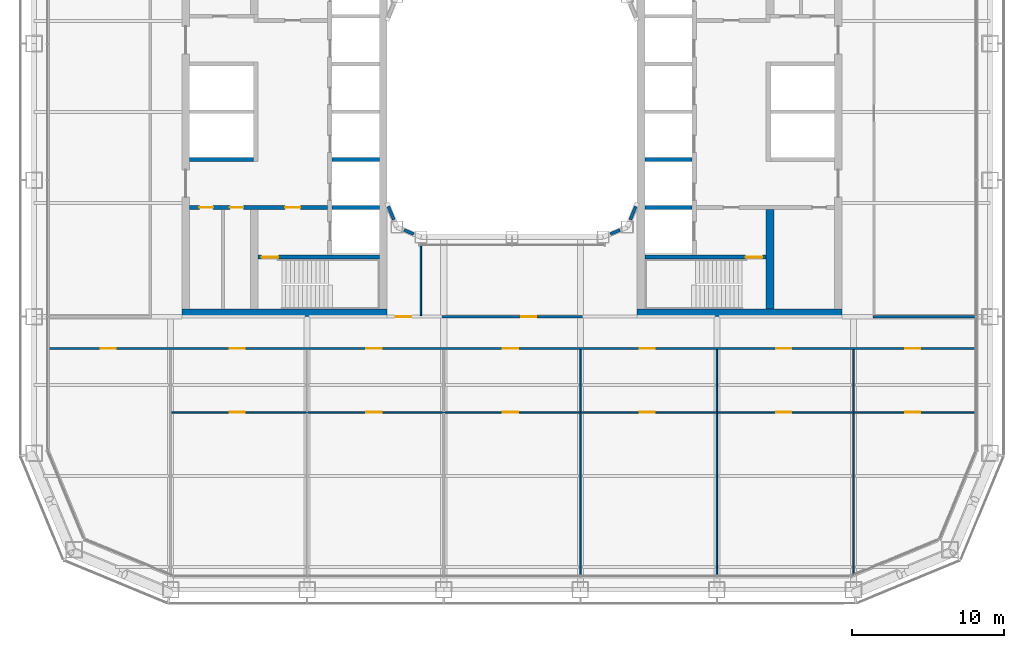
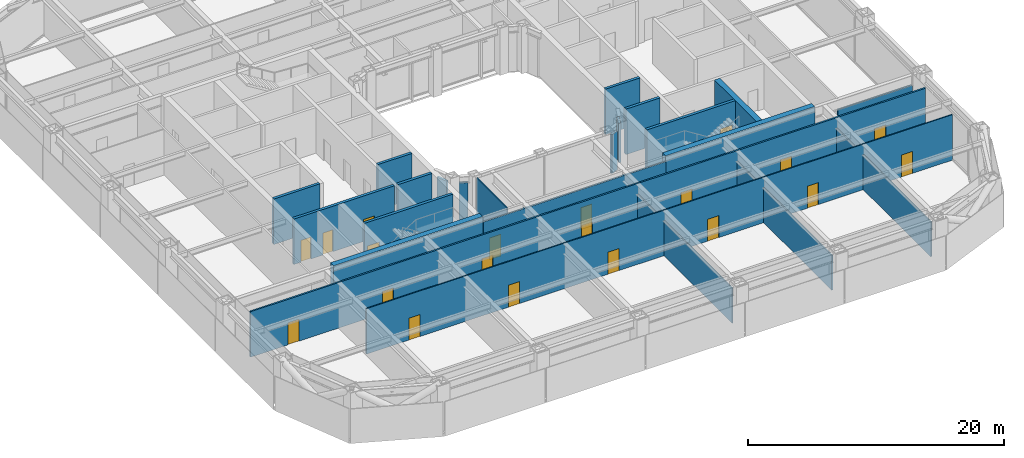
# One storey, part 12 of 24: 26 walls, 20 doors, 20 openings.
"""IFC4 building model written with IfcOpenShell, lengths in metres."""

from ifc_helpers import new_model, si_unit, direction, frame, frame_2d, origin, place, context, subcontext, project, spatial, rectangle, extrude, material, layer, layer_set, type_object, element, fill, save


model = new_model("IFC4")

# Units and contexts
model_context = context("Model", 3, precision=1e-05, world=origin(), true_north=direction((0.0, 1.0)))
body_context = subcontext(model_context, "Body", "Model", "MODEL_VIEW")
ifc_project = project(units=[si_unit("LENGTHUNIT", "METRE"), si_unit("AREAUNIT", "SQUARE_METRE"), si_unit("VOLUMEUNIT", "CUBIC_METRE"), si_unit("PLANEANGLEUNIT", "RADIAN"), si_unit("MASSUNIT", "GRAM", prefix="KILO")], contexts=[model_context])

# Site, building, storey
site_placement = place(None, origin())
site = spatial("IfcSite", under=ifc_project, at=site_placement, CompositionType="ELEMENT")
building_placement = place(site_placement, origin())
building = spatial("IfcBuilding", under=site, at=building_placement, Name="Siwar Civic Tower", CompositionType="ELEMENT")
storey_placement = place(building_placement, frame((0.0, 0.0, 22.199951171875)))
storey = spatial("IfcBuildingStorey", under=building, at=storey_placement, Name="L04", CompositionType="ELEMENT", Elevation=22.199951171875)

# Wall, openings, doors
ifc_material_1 = material(Name="Concrete C60/75", Category="concrete")
ifc_layer_1 = layer(ifc_material_1, 0.25)
ifc_layer_set_1 = layer_set([ifc_layer_1], Name="Concrete C60/75")
wall_type_1 = type_object("IfcWallType", Name="CORE-WALL-RC250", PredefinedType="SHEAR", material=ifc_layer_set_1)
wall_1_placement = place(storey_placement, frame((-12.14990234375, -6.300048828125, 0.0), z_axis=(0.0, 0.0, 1.0), x_axis=(-1.0, 0.0, 0.0)))
wall_1 = element("IfcWall", 1, at=wall_1_placement, inside=storey, type_object=wall_type_1, Name="Core wall W", PredefinedType="SHEAR", context=body_context, shape_type="SweptSolid", body=[
    extrude(rectangle(XDim=9.10009765625, YDim=0.25, at=frame_2d((4.550048828125, 0.0))), origin(), (0.0, 0.0, 1.0), 4.35009765625),
])
opening_1_placement = place(wall_1_placement, frame((1.800048828125, 0.0, 0.0)))
opening_1 = element("IfcOpeningElement", 2, at=opening_1_placement, cuts=wall_1, Name="Opening L04-CW02", PredefinedType="OPENING", context=body_context, shape_type="SweptSolid", body=[
    extrude(rectangle(XDim=1.0, YDim=2.10009765625, at=frame_2d((0.5, 1.050048828125))), frame((0.0, 0.135009765625, 0.0), z_axis=(0.0, -1.0, 0.0), x_axis=(1.0, 0.0, 0.0)), (0.0, 0.0, 1.0), 0.27001953125),
])
opening_2_placement = place(wall_1_placement, frame((5.550048828125, 0.0, 0.0)))
opening_2 = element("IfcOpeningElement", 3, at=opening_2_placement, cuts=wall_1, Name="Opening L04-CW15", PredefinedType="OPENING", context=body_context, shape_type="SweptSolid", body=[
    extrude(rectangle(XDim=0.89990234375, YDim=2.10009765625, at=frame_2d((0.449951171875, 1.050048828125))), frame((0.0, 0.135009765625, 0.0), z_axis=(0.0, -1.0, 0.0), x_axis=(1.0, 0.0, 0.0)), (0.0, 0.0, 1.0), 0.27001953125),
])
opening_3_placement = place(wall_1_placement, frame((7.550048828125, 0.0, 0.0)))
opening_3 = element("IfcOpeningElement", 4, at=opening_3_placement, cuts=wall_1, Name="Opening L04-CW16", PredefinedType="OPENING", context=body_context, shape_type="SweptSolid", body=[
    extrude(rectangle(XDim=0.89990234375, YDim=2.10009765625, at=frame_2d((0.449951171875, 1.050048828125))), frame((0.0, 0.135009765625, 0.0), z_axis=(0.0, -1.0, 0.0), x_axis=(1.0, 0.0, 0.0)), (0.0, 0.0, 1.0), 0.27001953125),
])
ifc_material_2 = material(Name="Steel door leaf", Category="steel")
door_type_1 = type_object("IfcDoorType", Name="CORE-DOOR-FD30S", OperationType="SINGLE_SWING_LEFT", PredefinedType="DOOR", material=ifc_material_2)
door_1_placement = place(opening_1_placement, origin())
door_1 = element("IfcDoor", 5, at=door_1_placement, inside=storey, type_object=door_type_1, Name="Service lobby door L04-CW02", OperationType="SINGLE_SWING_RIGHT", OverallHeight=2.10009765625, OverallWidth=1.0, PredefinedType="DOOR", context=body_context, shape_type="SweptSolid", body=[
    extrude(rectangle(XDim=1.0, YDim=2.10009765625, at=frame_2d((0.5, 1.050048828125))), frame((0.0, 0.02490234375, 0.0), z_axis=(0.0, -1.0, 0.0), x_axis=(1.0, 0.0, 0.0)), (0.0, 0.0, 1.0), 0.050048828125),
])
fill(opening_1, door_1)
ifc_material_3 = material(Name="Steel door leaf", Category="steel")
door_type_2 = type_object("IfcDoorType", Name="CORE-DOOR-ROOM", OperationType="SINGLE_SWING_LEFT", PredefinedType="DOOR", material=ifc_material_3)
door_2_placement = place(opening_2_placement, origin())
door_2 = element("IfcDoor", 6, at=door_2_placement, inside=storey, type_object=door_type_2, Name="Core room door L04-CW15", OperationType="SINGLE_SWING_LEFT", OverallHeight=2.10009765625, OverallWidth=0.89990234375, PredefinedType="DOOR", context=body_context, shape_type="SweptSolid", body=[
    extrude(rectangle(XDim=0.89990234375, YDim=2.10009765625, at=frame_2d((0.449951171875, 1.050048828125))), frame((0.0, 0.02490234375, 0.0), z_axis=(0.0, -1.0, 0.0), x_axis=(1.0, 0.0, 0.0)), (0.0, 0.0, 1.0), 0.050048828125),
])
fill(opening_2, door_2)
door_3_placement = place(opening_3_placement, origin())
door_3 = element("IfcDoor", 7, at=door_3_placement, inside=storey, type_object=door_type_2, Name="Core room door L04-CW16", OperationType="SINGLE_SWING_RIGHT", OverallHeight=2.10009765625, OverallWidth=0.89990234375, PredefinedType="DOOR", context=body_context, shape_type="SweptSolid", body=[
    extrude(rectangle(XDim=0.89990234375, YDim=2.10009765625, at=frame_2d((0.449951171875, 1.050048828125))), frame((0.0, 0.02490234375, 0.0), z_axis=(0.0, -1.0, 0.0), x_axis=(1.0, 0.0, 0.0)), (0.0, 0.0, 1.0), 0.050048828125),
])
fill(opening_3, door_3)

# Walls
wall_2_placement = place(storey_placement, frame((-17.050048828125, -3.14990234375, 0.0), z_axis=(0.0, 0.0, 1.0), x_axis=(-1.0, 0.0, 0.0)))
element("IfcWall", 8, at=wall_2_placement, inside=storey, type_object=wall_type_1, Name="Core wall W", PredefinedType="SHEAR", context=body_context, shape_type="SweptSolid", body=[
    extrude(rectangle(XDim=4.199951171875, YDim=0.25, at=frame_2d((2.10009765625, 0.0))), origin(), (0.0, 0.0, 1.0), 4.35009765625),
])
for number, where, z_axis, x_axis, name in (
    (9, (-8.75, -3.14990234375, 0.0), (0.0, 0.0, 1.0), (-1.0, 0.0, 0.0), "Core wall W"),
    (10, (-8.75, -6.300048828125, 0.0), (0.0, 0.0, 1.0), (-1.0, 0.0, 0.0), "Core wall W"),
):
    element("IfcWall", number, at=place(storey_placement, frame(where, z_axis=z_axis, x_axis=x_axis)), inside=storey, type_object=wall_type_1, Name=name, PredefinedType="SHEAR", context=body_context, shape_type="SweptSolid", body=[
        extrude(rectangle(XDim=3.10009765625, YDim=0.25, at=frame_2d((1.550048828125, 0.0))), origin(), (0.0, 0.0, 1.0), 4.35009765625),
    ])

# Wall, opening, door
wall_3_placement = place(storey_placement, frame((-8.75, -9.574951171875, 0.0), z_axis=(0.0, 0.0, 1.0), x_axis=(-1.0, 0.0, 0.0)))
wall_3 = element("IfcWall", 11, at=wall_3_placement, inside=storey, type_object=wall_type_1, Name="Core wall W", PredefinedType="SHEAR", context=body_context, shape_type="SweptSolid", body=[
    extrude(rectangle(XDim=8.0, YDim=0.25, at=frame_2d((4.0, 0.0))), origin(), (0.0, 0.0, 1.0), 4.35009765625),
])
opening_4_placement = place(wall_3_placement, frame((6.64990234375, 0.0, 0.0)))
opening_4 = element("IfcOpeningElement", 12, at=opening_4_placement, cuts=wall_3, Name="Opening L04-CW04", PredefinedType="OPENING", context=body_context, shape_type="SweptSolid", body=[
    extrude(rectangle(XDim=1.10009765625, YDim=2.10009765625, at=frame_2d((0.550048828125, 1.050048828125))), frame((0.0, 0.135009765625, 0.0), z_axis=(0.0, -1.0, 0.0), x_axis=(1.0, 0.0, 0.0)), (0.0, 0.0, 1.0), 0.27001953125),
])
ifc_material_4 = material(Name="Steel door leaf", Category="steel")
door_type_3 = type_object("IfcDoorType", Name="CORE-DOOR-FD60S", OperationType="SINGLE_SWING_LEFT", PredefinedType="DOOR", material=ifc_material_4)
door_4_placement = place(opening_4_placement, origin())
door_4 = element("IfcDoor", 13, at=door_4_placement, inside=storey, type_object=door_type_3, Name="Stair door L04-CW04", OperationType="SINGLE_SWING_LEFT", OverallHeight=2.10009765625, OverallWidth=1.10009765625, PredefinedType="DOOR", context=body_context, shape_type="SweptSolid", body=[
    extrude(rectangle(XDim=1.10009765625, YDim=2.10009765625, at=frame_2d((0.550048828125, 1.050048828125))), frame((0.0, 0.02490234375, 0.0), z_axis=(0.0, -1.0, 0.0), x_axis=(1.0, 0.0, 0.0)), (0.0, 0.0, 1.0), 0.050048828125),
])
fill(opening_4, door_4)

# Walls
for number, where, z_axis, x_axis, name in (
    (14, (8.75, -3.14990234375, 0.0), (0.0, 0.0, 1.0), (1.0, 0.0, 0.0), "Core wall E"),
    (15, (8.75, -6.300048828125, 0.0), (0.0, 0.0, 1.0), (1.0, 0.0, 0.0), "Core wall E"),
):
    element("IfcWall", number, at=place(storey_placement, frame(where, z_axis=z_axis, x_axis=x_axis)), inside=storey, type_object=wall_type_1, Name=name, PredefinedType="SHEAR", context=body_context, shape_type="SweptSolid", body=[
        extrude(rectangle(XDim=3.10009765625, YDim=0.25, at=frame_2d((1.550048828125, 0.0))), origin(), (0.0, 0.0, 1.0), 4.35009765625),
    ])

# Wall, opening, door
wall_4_placement = place(storey_placement, frame((8.75, -9.574951171875, 0.0), z_axis=(0.0, 0.0, 1.0), x_axis=(1.0, 0.0, 0.0)))
wall_4 = element("IfcWall", 16, at=wall_4_placement, inside=storey, type_object=wall_type_1, Name="Core wall E", PredefinedType="SHEAR", context=body_context, shape_type="SweptSolid", body=[
    extrude(rectangle(XDim=8.0, YDim=0.25, at=frame_2d((4.0, 0.0))), origin(), (0.0, 0.0, 1.0), 4.35009765625),
])
opening_5_placement = place(wall_4_placement, frame((6.64990234375, 0.0, 0.0)))
opening_5 = element("IfcOpeningElement", 17, at=opening_5_placement, cuts=wall_4, Name="Opening L04-CE04", PredefinedType="OPENING", context=body_context, shape_type="SweptSolid", body=[
    extrude(rectangle(XDim=1.10009765625, YDim=2.10009765625, at=frame_2d((0.550048828125, 1.050048828125))), frame((0.0, 0.135009765625, 0.0), z_axis=(0.0, -1.0, 0.0), x_axis=(1.0, 0.0, 0.0)), (0.0, 0.0, 1.0), 0.27001953125),
])
door_5_placement = place(opening_5_placement, origin())
door_5 = element("IfcDoor", 18, at=door_5_placement, inside=storey, type_object=door_type_3, Name="Stair door L04-CE04", OperationType="SINGLE_SWING_RIGHT", OverallHeight=2.10009765625, OverallWidth=1.10009765625, PredefinedType="DOOR", context=body_context, shape_type="SweptSolid", body=[
    extrude(rectangle(XDim=1.10009765625, YDim=2.10009765625, at=frame_2d((0.550048828125, 1.050048828125))), frame((0.0, 0.02490234375, 0.0), z_axis=(0.0, -1.0, 0.0), x_axis=(1.0, 0.0, 0.0)), (0.0, 0.0, 1.0), 0.050048828125),
])
fill(opening_5, door_5)

# Walls
ifc_material_5 = material(Name="Concrete C60/75", Category="concrete")
ifc_layer_2 = layer(ifc_material_5, 0.5)
ifc_layer_set_2 = layer_set([ifc_layer_2], Name="Concrete C60/75")
wall_type_2 = type_object("IfcWallType", Name="CORE-WALL-RC500", PredefinedType="SHEAR", material=ifc_layer_set_2)
wall_5_placement = place(storey_placement, frame((-8.25, -13.25, 0.0), z_axis=(0.0, 0.0, 1.0), x_axis=(-1.0, 0.0, 0.0)))
element("IfcWall", 19, at=wall_5_placement, inside=storey, type_object=wall_type_2, Name="Core wall W", PredefinedType="SHEAR", context=body_context, shape_type="SweptSolid", body=[
    extrude(rectangle(XDim=13.5, YDim=0.5, at=frame_2d((6.75, 0.0))), origin(), (0.0, 0.0, 1.0), 4.35009765625),
])
wall_6_placement = place(storey_placement, frame((17.0, -13.0, 0.0), z_axis=(0.0, 0.0, 1.0), x_axis=(0.0, 1.0, 0.0)))
element("IfcWall", 20, at=wall_6_placement, inside=storey, type_object=wall_type_2, Name="Core wall E", PredefinedType="SHEAR", context=body_context, shape_type="SweptSolid", body=[
    extrude(rectangle(XDim=6.574951171875, YDim=0.5, at=frame_2d((3.28759765625, 0.0))), origin(), (0.0, 0.0, 1.0), 4.35009765625),
])
wall_7_placement = place(storey_placement, frame((8.25, -13.25, 0.0), z_axis=(0.0, 0.0, 1.0), x_axis=(1.0, 0.0, 0.0)))
element("IfcWall", 21, at=wall_7_placement, inside=storey, type_object=wall_type_2, Name="Core wall E", PredefinedType="SHEAR", context=body_context, shape_type="SweptSolid", body=[
    extrude(rectangle(XDim=13.5, YDim=0.5, at=frame_2d((6.75, 0.0))), origin(), (0.0, 0.0, 1.0), 4.35009765625),
])

# Wall, openings, doors
ifc_material_6 = material(Name="Gypsum board on steel studs", Category="steel")
ifc_layer_3 = layer(ifc_material_6, 0.14990234375)
ifc_layer_set_3 = layer_set([ifc_layer_3], Name="Gypsum board on steel studs")
wall_type_3 = type_object("IfcWallType", Name="CORRIDOR PARTITION 150 EI 30", PredefinedType="PARTITIONING", material=ifc_layer_set_3)
wall_8_placement = place(storey_placement, frame((-30.510009765625, -15.60009765625, 0.0), z_axis=(0.0, 0.0, 1.0), x_axis=(1.0, 0.0, 0.0)))
wall_8 = element("IfcWall", 22, at=wall_8_placement, inside=storey, type_object=wall_type_3, Name="L04/wall/P02", PredefinedType="PARTITIONING", context=body_context, shape_type="SweptSolid", body=[
    extrude(rectangle(XDim=61.02001953125, YDim=0.14990234375, at=frame_2d((30.510009765625, 0.0))), origin(), (0.0, 0.0, 1.0), 4.35009765625),
])
opening_6_placement = place(wall_8_placement, frame((11.909912109375, 0.0, 0.0)))
opening_6 = element("IfcOpeningElement", 23, at=opening_6_placement, cuts=wall_8, Name="Opening D1", PredefinedType="OPENING", context=body_context, shape_type="SweptSolid", body=[
    extrude(rectangle(XDim=1.0, YDim=2.10009765625, at=frame_2d((0.5, 1.050048828125))), frame((0.0, 0.0849609375, 0.0), z_axis=(0.0, -1.0, 0.0), x_axis=(1.0, 0.0, 0.0)), (0.0, 0.0, 1.0), 0.169921875),
])
opening_7_placement = place(wall_8_placement, frame((20.909912109375, 0.0, 0.0)))
opening_7 = element("IfcOpeningElement", 24, at=opening_7_placement, cuts=wall_8, Name="Opening D1", PredefinedType="OPENING", context=body_context, shape_type="SweptSolid", body=[
    extrude(rectangle(XDim=1.0, YDim=2.10009765625, at=frame_2d((0.5, 1.050048828125))), frame((0.0, 0.0849609375, 0.0), z_axis=(0.0, -1.0, 0.0), x_axis=(1.0, 0.0, 0.0)), (0.0, 0.0, 1.0), 0.169921875),
])
opening_8_placement = place(wall_8_placement, frame((29.909912109375, 0.0, 0.0)))
opening_8 = element("IfcOpeningElement", 25, at=opening_8_placement, cuts=wall_8, Name="Opening D1", PredefinedType="OPENING", context=body_context, shape_type="SweptSolid", body=[
    extrude(rectangle(XDim=1.0, YDim=2.10009765625, at=frame_2d((0.5, 1.050048828125))), frame((0.0, 0.0849609375, 0.0), z_axis=(0.0, -1.0, 0.0), x_axis=(1.0, 0.0, 0.0)), (0.0, 0.0, 1.0), 0.169921875),
])
opening_9_placement = place(wall_8_placement, frame((38.909912109375, 0.0, 0.0)))
opening_9 = element("IfcOpeningElement", 26, at=opening_9_placement, cuts=wall_8, Name="Opening D1", PredefinedType="OPENING", context=body_context, shape_type="SweptSolid", body=[
    extrude(rectangle(XDim=1.0, YDim=2.10009765625, at=frame_2d((0.5, 1.050048828125))), frame((0.0, 0.0849609375, 0.0), z_axis=(0.0, -1.0, 0.0), x_axis=(1.0, 0.0, 0.0)), (0.0, 0.0, 1.0), 0.169921875),
])
opening_10_placement = place(wall_8_placement, frame((47.909912109375, 0.0, 0.0)))
opening_10 = element("IfcOpeningElement", 27, at=opening_10_placement, cuts=wall_8, Name="Opening D1", PredefinedType="OPENING", context=body_context, shape_type="SweptSolid", body=[
    extrude(rectangle(XDim=1.0, YDim=2.10009765625, at=frame_2d((0.5, 1.050048828125))), frame((0.0, 0.0849609375, 0.0), z_axis=(0.0, -1.0, 0.0), x_axis=(1.0, 0.0, 0.0)), (0.0, 0.0, 1.0), 0.169921875),
])
opening_11_placement = place(wall_8_placement, frame((3.39990234375, 0.0, 0.0)))
opening_11 = element("IfcOpeningElement", 28, at=opening_11_placement, cuts=wall_8, Name="Opening D1", PredefinedType="OPENING", context=body_context, shape_type="SweptSolid", body=[
    extrude(rectangle(XDim=1.0, YDim=2.10009765625, at=frame_2d((0.5, 1.050048828125))), frame((0.0, 0.0849609375, 0.0), z_axis=(0.0, -1.0, 0.0), x_axis=(1.0, 0.0, 0.0)), (0.0, 0.0, 1.0), 0.169921875),
])
opening_12_placement = place(wall_8_placement, frame((56.409912109375, 0.0, 0.0)))
opening_12 = element("IfcOpeningElement", 29, at=opening_12_placement, cuts=wall_8, Name="Opening D1", PredefinedType="OPENING", context=body_context, shape_type="SweptSolid", body=[
    extrude(rectangle(XDim=1.0, YDim=2.10009765625, at=frame_2d((0.5, 1.050048828125))), frame((0.0, 0.0849609375, 0.0), z_axis=(0.0, -1.0, 0.0), x_axis=(1.0, 0.0, 0.0)), (0.0, 0.0, 1.0), 0.169921875),
])
ifc_material_7 = material(Name="Timber, painted", Category="wood")
door_type_4 = type_object("IfcDoorType", Name="DOOR 1000 X 2100 FD30", OperationType="SINGLE_SWING_LEFT", PredefinedType="DOOR", material=ifc_material_7)
door_6_placement = place(opening_6_placement, origin())
door_6 = element("IfcDoor", 30, at=door_6_placement, inside=storey, type_object=door_type_4, Name="L04-D12", OperationType="SINGLE_SWING_RIGHT", OverallHeight=2.10009765625, OverallWidth=1.0, PredefinedType="DOOR", context=body_context, shape_type="SweptSolid", body=[
    extrude(rectangle(XDim=1.0, YDim=2.10009765625, at=frame_2d((0.5, 1.050048828125))), frame((0.0, 0.02490234375, 0.0), z_axis=(0.0, -1.0, 0.0), x_axis=(1.0, 0.0, 0.0)), (0.0, 0.0, 1.0), 0.050048828125),
])
fill(opening_6, door_6)
door_7_placement = place(opening_7_placement, origin())
door_7 = element("IfcDoor", 31, at=door_7_placement, inside=storey, type_object=door_type_4, Name="L04-D14", OperationType="SINGLE_SWING_RIGHT", OverallHeight=2.10009765625, OverallWidth=1.0, PredefinedType="DOOR", context=body_context, shape_type="SweptSolid", body=[
    extrude(rectangle(XDim=1.0, YDim=2.10009765625, at=frame_2d((0.5, 1.050048828125))), frame((0.0, 0.02490234375, 0.0), z_axis=(0.0, -1.0, 0.0), x_axis=(1.0, 0.0, 0.0)), (0.0, 0.0, 1.0), 0.050048828125),
])
fill(opening_7, door_7)
door_8_placement = place(opening_8_placement, origin())
door_8 = element("IfcDoor", 32, at=door_8_placement, inside=storey, type_object=door_type_4, Name="L04-D16", OperationType="SINGLE_SWING_RIGHT", OverallHeight=2.10009765625, OverallWidth=1.0, PredefinedType="DOOR", context=body_context, shape_type="SweptSolid", body=[
    extrude(rectangle(XDim=1.0, YDim=2.10009765625, at=frame_2d((0.5, 1.050048828125))), frame((0.0, 0.02490234375, 0.0), z_axis=(0.0, -1.0, 0.0), x_axis=(1.0, 0.0, 0.0)), (0.0, 0.0, 1.0), 0.050048828125),
])
fill(opening_8, door_8)
door_9_placement = place(opening_9_placement, origin())
door_9 = element("IfcDoor", 33, at=door_9_placement, inside=storey, type_object=door_type_4, Name="L04-D18", OperationType="SINGLE_SWING_RIGHT", OverallHeight=2.10009765625, OverallWidth=1.0, PredefinedType="DOOR", context=body_context, shape_type="SweptSolid", body=[
    extrude(rectangle(XDim=1.0, YDim=2.10009765625, at=frame_2d((0.5, 1.050048828125))), frame((0.0, 0.02490234375, 0.0), z_axis=(0.0, -1.0, 0.0), x_axis=(1.0, 0.0, 0.0)), (0.0, 0.0, 1.0), 0.050048828125),
])
fill(opening_9, door_9)
door_10_placement = place(opening_10_placement, origin())
door_10 = element("IfcDoor", 34, at=door_10_placement, inside=storey, type_object=door_type_4, Name="L04-D20", OperationType="SINGLE_SWING_RIGHT", OverallHeight=2.10009765625, OverallWidth=1.0, PredefinedType="DOOR", context=body_context, shape_type="SweptSolid", body=[
    extrude(rectangle(XDim=1.0, YDim=2.10009765625, at=frame_2d((0.5, 1.050048828125))), frame((0.0, 0.02490234375, 0.0), z_axis=(0.0, -1.0, 0.0), x_axis=(1.0, 0.0, 0.0)), (0.0, 0.0, 1.0), 0.050048828125),
])
fill(opening_10, door_10)
door_11_placement = place(opening_11_placement, origin())
door_11 = element("IfcDoor", 35, at=door_11_placement, inside=storey, type_object=door_type_4, Name="L04-D26", OperationType="SINGLE_SWING_RIGHT", OverallHeight=2.10009765625, OverallWidth=1.0, PredefinedType="DOOR", context=body_context, shape_type="SweptSolid", body=[
    extrude(rectangle(XDim=1.0, YDim=2.10009765625, at=frame_2d((0.5, 1.050048828125))), frame((0.0, 0.02490234375, 0.0), z_axis=(0.0, -1.0, 0.0), x_axis=(1.0, 0.0, 0.0)), (0.0, 0.0, 1.0), 0.050048828125),
])
fill(opening_11, door_11)
door_12_placement = place(opening_12_placement, origin())
door_12 = element("IfcDoor", 36, at=door_12_placement, inside=storey, type_object=door_type_4, Name="L04-D27", OperationType="SINGLE_SWING_LEFT", OverallHeight=2.10009765625, OverallWidth=1.0, PredefinedType="DOOR", context=body_context, shape_type="SweptSolid", body=[
    extrude(rectangle(XDim=1.0, YDim=2.10009765625, at=frame_2d((0.5, 1.050048828125))), frame((0.0, 0.02490234375, 0.0), z_axis=(0.0, -1.0, 0.0), x_axis=(1.0, 0.0, 0.0)), (0.0, 0.0, 1.0), 0.050048828125),
])
fill(opening_12, door_12)

wall_9_placement = place(storey_placement, frame((-8.25, -13.5, 0.0), z_axis=(0.0, 0.0, 1.0), x_axis=(1.0, 0.0, 0.0)))
wall_9 = element("IfcWall", 37, at=wall_9_placement, inside=storey, type_object=wall_type_3, Name="L04/wall/P04", PredefinedType="PARTITIONING", context=body_context, shape_type="SweptSolid", body=[
    extrude(rectangle(XDim=16.5, YDim=0.14990234375, at=frame_2d((8.25, 0.0))), origin(), (0.0, 0.0, 1.0), 3.85009765625),
])
opening_13_placement = place(wall_9_placement, frame((0.60009765625, 0.0, 0.0)))
opening_13 = element("IfcOpeningElement", 38, at=opening_13_placement, cuts=wall_9, Name="Opening D3", PredefinedType="OPENING", context=body_context, shape_type="SweptSolid", body=[
    extrude(rectangle(XDim=1.0, YDim=2.10009765625, at=frame_2d((0.5, 1.050048828125))), frame((0.0, 0.0849609375, 0.0), z_axis=(0.0, -1.0, 0.0), x_axis=(1.0, 0.0, 0.0)), (0.0, 0.0, 1.0), 0.169921875),
])
opening_14_placement = place(wall_9_placement, frame((8.85009765625, 0.0, 0.0)))
opening_14 = element("IfcOpeningElement", 39, at=opening_14_placement, cuts=wall_9, Name="Opening D1", PredefinedType="OPENING", context=body_context, shape_type="SweptSolid", body=[
    extrude(rectangle(XDim=1.0, YDim=2.10009765625, at=frame_2d((0.5, 1.050048828125))), frame((0.0, 0.0849609375, 0.0), z_axis=(0.0, -1.0, 0.0), x_axis=(1.0, 0.0, 0.0)), (0.0, 0.0, 1.0), 0.169921875),
])
door_13_placement = place(opening_14_placement, origin())
door_13 = element("IfcDoor", 40, at=door_13_placement, inside=storey, type_object=door_type_4, Name="L04-D38", OperationType="SINGLE_SWING_RIGHT", OverallHeight=2.10009765625, OverallWidth=1.0, PredefinedType="DOOR", context=body_context, shape_type="SweptSolid", body=[
    extrude(rectangle(XDim=1.0, YDim=2.10009765625, at=frame_2d((0.5, 1.050048828125))), frame((0.0, 0.02490234375, 0.0), z_axis=(0.0, -1.0, 0.0), x_axis=(1.0, 0.0, 0.0)), (0.0, 0.0, 1.0), 0.050048828125),
])
fill(opening_14, door_13)
ifc_material_8 = material(Name="Timber, painted", Category="wood")
door_type_5 = type_object("IfcDoorType", Name="DOOR 1000 X 2100 WC", OperationType="SINGLE_SWING_LEFT", PredefinedType="DOOR", material=ifc_material_8)
door_14_placement = place(opening_13_placement, origin())
door_14 = element("IfcDoor", 41, at=door_14_placement, inside=storey, type_object=door_type_5, Name="L04-D37", OperationType="SINGLE_SWING_LEFT", OverallHeight=2.10009765625, OverallWidth=1.0, PredefinedType="DOOR", context=body_context, shape_type="SweptSolid", body=[
    extrude(rectangle(XDim=1.0, YDim=2.10009765625, at=frame_2d((0.5, 1.050048828125))), frame((0.0, 0.02490234375, 0.0), z_axis=(0.0, -1.0, 0.0), x_axis=(1.0, 0.0, 0.0)), (0.0, 0.0, 1.0), 0.050048828125),
])
fill(opening_13, door_14)

# Walls
wall_10_placement = place(storey_placement, frame((23.77490234375, -13.5, 0.0), z_axis=(0.0, 0.0, 1.0), x_axis=(1.0, 0.0, 0.0)))
element("IfcWall", 42, at=wall_10_placement, inside=storey, type_object=wall_type_3, Name="L04/wall/P05", PredefinedType="PARTITIONING", context=body_context, shape_type="SweptSolid", body=[
    extrude(rectangle(XDim=6.735107421875, YDim=0.14990234375, at=frame_2d((3.36767578125, 0.0))), origin(), (0.0, 0.0, 1.0), 3.35009765625),
])
ifc_material_9 = material(Name="Aluminium clad insulated panel", Category="aluminium")
ifc_layer_4 = layer(ifc_material_9, 0.199951171875)
ifc_layer_set_4 = layer_set([ifc_layer_4], Name="Aluminium clad insulated panel")
wall_type_4 = type_object("IfcWallType", Name="ENV-WALL-WELL", PredefinedType="STANDARD", material=ifc_layer_set_4)
wall_11_placement = place(storey_placement, frame((6.48291015625, -8.050048828125, 0.0), z_axis=(0.0, 0.0, 1.0), x_axis=(0.923854141361, 0.382744726273, 0.0)))
element("IfcWall", 43, at=wall_11_placement, inside=storey, type_object=wall_type_4, Name="Light well corner wall SE1", PredefinedType="STANDARD", context=body_context, shape_type="SweptSolid", body=[
    extrude(rectangle(XDim=0.6767578125, YDim=0.199951171875, at=frame_2d((0.33837890625, 0.0))), origin(), (0.0, 0.0, 1.0), 3.72998046875),
])
for number, where, z_axis, x_axis, name in (
    (44, (7.791015625, -7.108154296875, 0.0), (0.0, 0.0, 1.0), (0.382624318388, 0.923904016107, 0.0), "Light well corner wall SE2"),
    (45, (-8.154296875, -6.23095703125, 0.0), (0.0, 0.0, 1.0), (0.382624318388, -0.923904016107, 0.0), "Light well corner wall SW1"),
):
    element("IfcWall", number, at=place(storey_placement, frame(where, z_axis=z_axis, x_axis=x_axis)), inside=storey, type_object=wall_type_4, Name=name, PredefinedType="STANDARD", context=body_context, shape_type="SweptSolid", body=[
        extrude(rectangle(XDim=0.949462890625, YDim=0.199951171875, at=frame_2d((0.474609375, 0.0))), origin(), (0.0, 0.0, 1.0), 3.72998046875),
    ])
wall_12_placement = place(storey_placement, frame((-7.108154296875, -7.791015625, 0.0), z_axis=(0.0, 0.0, 1.0), x_axis=(0.923854141361, -0.382744726273, 0.0)))
element("IfcWall", 46, at=wall_12_placement, inside=storey, type_object=wall_type_4, Name="Light well corner wall SW2", PredefinedType="STANDARD", context=body_context, shape_type="SweptSolid", body=[
    extrude(rectangle(XDim=0.6767578125, YDim=0.199951171875, at=frame_2d((0.33837890625, 0.0))), origin(), (0.0, 0.0, 1.0), 3.72998046875),
])

# Wall, openings, doors
ifc_material_10 = material(Name="Gypsum board on steel studs", Category="steel")
ifc_layer_5 = layer(ifc_material_10, 0.10009765625)
ifc_layer_set_5 = layer_set([ifc_layer_5], Name="Gypsum board on steel studs")
wall_type_5 = type_object("IfcWallType", Name="PARTITION 100 GYPSUM", PredefinedType="PARTITIONING", material=ifc_layer_set_5)
wall_13_placement = place(storey_placement, frame((-22.449951171875, -19.800048828125, 0.0), z_axis=(0.0, 0.0, 1.0), x_axis=(1.0, 0.0, 0.0)))
wall_13 = element("IfcWall", 47, at=wall_13_placement, inside=storey, type_object=wall_type_5, Name="L04/wall/P01", PredefinedType="PARTITIONING", context=body_context, shape_type="SweptSolid", body=[
    extrude(rectangle(XDim=52.9599609375, YDim=0.10009765625, at=frame_2d((26.47998046875, 0.0))), origin(), (0.0, 0.0, 1.0), 4.35009765625),
])
opening_15_placement = place(wall_13_placement, frame((3.85009765625, 0.0, 0.0)))
opening_15 = element("IfcOpeningElement", 48, at=opening_15_placement, cuts=wall_13, Name="Opening D2", PredefinedType="OPENING", context=body_context, shape_type="SweptSolid", body=[
    extrude(rectangle(XDim=1.0, YDim=2.10009765625, at=frame_2d((0.5, 1.050048828125))), frame((0.0, 0.06005859375, 0.0), z_axis=(0.0, -1.0, 0.0), x_axis=(1.0, 0.0, 0.0)), (0.0, 0.0, 1.0), 0.1201171875),
])
opening_16_placement = place(wall_13_placement, frame((12.85009765625, 0.0, 0.0)))
opening_16 = element("IfcOpeningElement", 49, at=opening_16_placement, cuts=wall_13, Name="Opening D2", PredefinedType="OPENING", context=body_context, shape_type="SweptSolid", body=[
    extrude(rectangle(XDim=1.0, YDim=2.10009765625, at=frame_2d((0.5, 1.050048828125))), frame((0.0, 0.06005859375, 0.0), z_axis=(0.0, -1.0, 0.0), x_axis=(1.0, 0.0, 0.0)), (0.0, 0.0, 1.0), 0.1201171875),
])
opening_17_placement = place(wall_13_placement, frame((21.85009765625, 0.0, 0.0)))
opening_17 = element("IfcOpeningElement", 50, at=opening_17_placement, cuts=wall_13, Name="Opening D2", PredefinedType="OPENING", context=body_context, shape_type="SweptSolid", body=[
    extrude(rectangle(XDim=1.0, YDim=2.10009765625, at=frame_2d((0.5, 1.050048828125))), frame((0.0, 0.06005859375, 0.0), z_axis=(0.0, -1.0, 0.0), x_axis=(1.0, 0.0, 0.0)), (0.0, 0.0, 1.0), 0.1201171875),
])
opening_18_placement = place(wall_13_placement, frame((30.85009765625, 0.0, 0.0)))
opening_18 = element("IfcOpeningElement", 51, at=opening_18_placement, cuts=wall_13, Name="Opening D2", PredefinedType="OPENING", context=body_context, shape_type="SweptSolid", body=[
    extrude(rectangle(XDim=1.0, YDim=2.10009765625, at=frame_2d((0.5, 1.050048828125))), frame((0.0, 0.06005859375, 0.0), z_axis=(0.0, -1.0, 0.0), x_axis=(1.0, 0.0, 0.0)), (0.0, 0.0, 1.0), 0.1201171875),
])
opening_19_placement = place(wall_13_placement, frame((39.85009765625, 0.0, 0.0)))
opening_19 = element("IfcOpeningElement", 52, at=opening_19_placement, cuts=wall_13, Name="Opening D2", PredefinedType="OPENING", context=body_context, shape_type="SweptSolid", body=[
    extrude(rectangle(XDim=1.0, YDim=2.10009765625, at=frame_2d((0.5, 1.050048828125))), frame((0.0, 0.06005859375, 0.0), z_axis=(0.0, -1.0, 0.0), x_axis=(1.0, 0.0, 0.0)), (0.0, 0.0, 1.0), 0.1201171875),
])
opening_20_placement = place(wall_13_placement, frame((48.35009765625, 0.0, 0.0)))
opening_20 = element("IfcOpeningElement", 53, at=opening_20_placement, cuts=wall_13, Name="Opening D2", PredefinedType="OPENING", context=body_context, shape_type="SweptSolid", body=[
    extrude(rectangle(XDim=1.0, YDim=2.10009765625, at=frame_2d((0.5, 1.050048828125))), frame((0.0, 0.06005859375, 0.0), z_axis=(0.0, -1.0, 0.0), x_axis=(1.0, 0.0, 0.0)), (0.0, 0.0, 1.0), 0.1201171875),
])
ifc_material_11 = material(Name="Timber, painted", Category="wood")
door_type_6 = type_object("IfcDoorType", Name="DOOR 1000 X 2100", OperationType="SINGLE_SWING_LEFT", PredefinedType="DOOR", material=ifc_material_11)
door_15_placement = place(opening_15_placement, origin())
door_15 = element("IfcDoor", 54, at=door_15_placement, inside=storey, type_object=door_type_6, Name="L04-D13", OperationType="SINGLE_SWING_LEFT", OverallHeight=2.10009765625, OverallWidth=1.0, PredefinedType="DOOR", context=body_context, shape_type="SweptSolid", body=[
    extrude(rectangle(XDim=1.0, YDim=2.10009765625, at=frame_2d((0.5, 1.050048828125))), frame((0.0, 0.02490234375, 0.0), z_axis=(0.0, -1.0, 0.0), x_axis=(1.0, 0.0, 0.0)), (0.0, 0.0, 1.0), 0.050048828125),
])
fill(opening_15, door_15)
door_16_placement = place(opening_16_placement, origin())
door_16 = element("IfcDoor", 55, at=door_16_placement, inside=storey, type_object=door_type_6, Name="L04-D15", OperationType="SINGLE_SWING_LEFT", OverallHeight=2.10009765625, OverallWidth=1.0, PredefinedType="DOOR", context=body_context, shape_type="SweptSolid", body=[
    extrude(rectangle(XDim=1.0, YDim=2.10009765625, at=frame_2d((0.5, 1.050048828125))), frame((0.0, 0.02490234375, 0.0), z_axis=(0.0, -1.0, 0.0), x_axis=(1.0, 0.0, 0.0)), (0.0, 0.0, 1.0), 0.050048828125),
])
fill(opening_16, door_16)
door_17_placement = place(opening_17_placement, origin())
door_17 = element("IfcDoor", 56, at=door_17_placement, inside=storey, type_object=door_type_6, Name="L04-D17", OperationType="SINGLE_SWING_LEFT", OverallHeight=2.10009765625, OverallWidth=1.0, PredefinedType="DOOR", context=body_context, shape_type="SweptSolid", body=[
    extrude(rectangle(XDim=1.0, YDim=2.10009765625, at=frame_2d((0.5, 1.050048828125))), frame((0.0, 0.02490234375, 0.0), z_axis=(0.0, -1.0, 0.0), x_axis=(1.0, 0.0, 0.0)), (0.0, 0.0, 1.0), 0.050048828125),
])
fill(opening_17, door_17)
door_18_placement = place(opening_18_placement, origin())
door_18 = element("IfcDoor", 57, at=door_18_placement, inside=storey, type_object=door_type_6, Name="L04-D19", OperationType="SINGLE_SWING_LEFT", OverallHeight=2.10009765625, OverallWidth=1.0, PredefinedType="DOOR", context=body_context, shape_type="SweptSolid", body=[
    extrude(rectangle(XDim=1.0, YDim=2.10009765625, at=frame_2d((0.5, 1.050048828125))), frame((0.0, 0.02490234375, 0.0), z_axis=(0.0, -1.0, 0.0), x_axis=(1.0, 0.0, 0.0)), (0.0, 0.0, 1.0), 0.050048828125),
])
fill(opening_18, door_18)
door_19_placement = place(opening_19_placement, origin())
door_19 = element("IfcDoor", 58, at=door_19_placement, inside=storey, type_object=door_type_6, Name="L04-D21", OperationType="SINGLE_SWING_LEFT", OverallHeight=2.10009765625, OverallWidth=1.0, PredefinedType="DOOR", context=body_context, shape_type="SweptSolid", body=[
    extrude(rectangle(XDim=1.0, YDim=2.10009765625, at=frame_2d((0.5, 1.050048828125))), frame((0.0, 0.02490234375, 0.0), z_axis=(0.0, -1.0, 0.0), x_axis=(1.0, 0.0, 0.0)), (0.0, 0.0, 1.0), 0.050048828125),
])
fill(opening_19, door_19)
door_20_placement = place(opening_20_placement, origin())
door_20 = element("IfcDoor", 59, at=door_20_placement, inside=storey, type_object=door_type_6, Name="L04-D28", OperationType="SINGLE_SWING_RIGHT", OverallHeight=2.10009765625, OverallWidth=1.0, PredefinedType="DOOR", context=body_context, shape_type="SweptSolid", body=[
    extrude(rectangle(XDim=1.0, YDim=2.10009765625, at=frame_2d((0.5, 1.050048828125))), frame((0.0, 0.02490234375, 0.0), z_axis=(0.0, -1.0, 0.0), x_axis=(1.0, 0.0, 0.0)), (0.0, 0.0, 1.0), 0.050048828125),
])
fill(opening_20, door_20)

# Walls
wall_14_placement = place(storey_placement, frame((-6.0, -13.425048828125, 0.0), z_axis=(0.0, 0.0, 1.0), x_axis=(0.0, 1.0, 0.0)))
element("IfcWall", 60, at=wall_14_placement, inside=storey, type_object=wall_type_5, Name="L04/wall/P22", PredefinedType="PARTITIONING", context=body_context, shape_type="SweptSolid", body=[
    extrude(rectangle(XDim=4.72509765625, YDim=0.10009765625, at=frame_2d((2.362548828125, 0.0))), origin(), (0.0, 0.0, 1.0), 4.35009765625),
])
wall_15_placement = place(storey_placement, frame((4.5, -30.510009765625, 0.0), z_axis=(0.0, 0.0, 1.0), x_axis=(0.0, 1.0, 0.0)))
element("IfcWall", 61, at=wall_15_placement, inside=storey, type_object=wall_type_5, Name="L04/wall/P30", PredefinedType="PARTITIONING", context=body_context, shape_type="SweptSolid", body=[
    extrude(rectangle(XDim=10.659912109375, YDim=0.10009765625, at=frame_2d((5.330078125, 0.0))), origin(), (0.0, 0.0, 1.0), 3.35009765625),
])
wall_16_placement = place(storey_placement, frame((4.5, -19.75, 0.0), z_axis=(0.0, 0.0, 1.0), x_axis=(0.0, 1.0, 0.0)))
element("IfcWall", 62, at=wall_16_placement, inside=storey, type_object=wall_type_5, Name="L04/wall/P31", PredefinedType="PARTITIONING", context=body_context, shape_type="SweptSolid", body=[
    extrude(rectangle(XDim=4.074951171875, YDim=0.10009765625, at=frame_2d((2.03759765625, 0.0))), origin(), (0.0, 0.0, 1.0), 3.35009765625),
])
wall_17_placement = place(storey_placement, frame((13.5, -30.510009765625, 0.0), z_axis=(0.0, 0.0, 1.0), x_axis=(0.0, 1.0, 0.0)))
element("IfcWall", 63, at=wall_17_placement, inside=storey, type_object=wall_type_5, Name="L04/wall/P35", PredefinedType="PARTITIONING", context=body_context, shape_type="SweptSolid", body=[
    extrude(rectangle(XDim=10.659912109375, YDim=0.10009765625, at=frame_2d((5.330078125, 0.0))), origin(), (0.0, 0.0, 1.0), 3.35009765625),
])
wall_18_placement = place(storey_placement, frame((13.5, -19.75, 0.0), z_axis=(0.0, 0.0, 1.0), x_axis=(0.0, 1.0, 0.0)))
element("IfcWall", 64, at=wall_18_placement, inside=storey, type_object=wall_type_5, Name="L04/wall/P36", PredefinedType="PARTITIONING", context=body_context, shape_type="SweptSolid", body=[
    extrude(rectangle(XDim=4.074951171875, YDim=0.10009765625, at=frame_2d((2.03759765625, 0.0))), origin(), (0.0, 0.0, 1.0), 3.35009765625),
])
wall_19_placement = place(storey_placement, frame((22.5, -30.427978515625, 0.0), z_axis=(0.0, 0.0, 1.0), x_axis=(0.0, 1.0, 0.0)))
element("IfcWall", 65, at=wall_19_placement, inside=storey, type_object=wall_type_5, Name="L04/wall/P39", PredefinedType="PARTITIONING", context=body_context, shape_type="SweptSolid", body=[
    extrude(rectangle(XDim=10.577880859375, YDim=0.10009765625, at=frame_2d((5.2890625, 0.0))), origin(), (0.0, 0.0, 1.0), 3.35009765625),
])
wall_20_placement = place(storey_placement, frame((22.5, -19.75, 0.0), z_axis=(0.0, 0.0, 1.0), x_axis=(0.0, 1.0, 0.0)))
element("IfcWall", 66, at=wall_20_placement, inside=storey, type_object=wall_type_5, Name="L04/wall/P40", PredefinedType="PARTITIONING", context=body_context, shape_type="SweptSolid", body=[
    extrude(rectangle(XDim=4.074951171875, YDim=0.10009765625, at=frame_2d((2.03759765625, 0.0))), origin(), (0.0, 0.0, 1.0), 3.35009765625),
])

save(model, "model.ifc")
